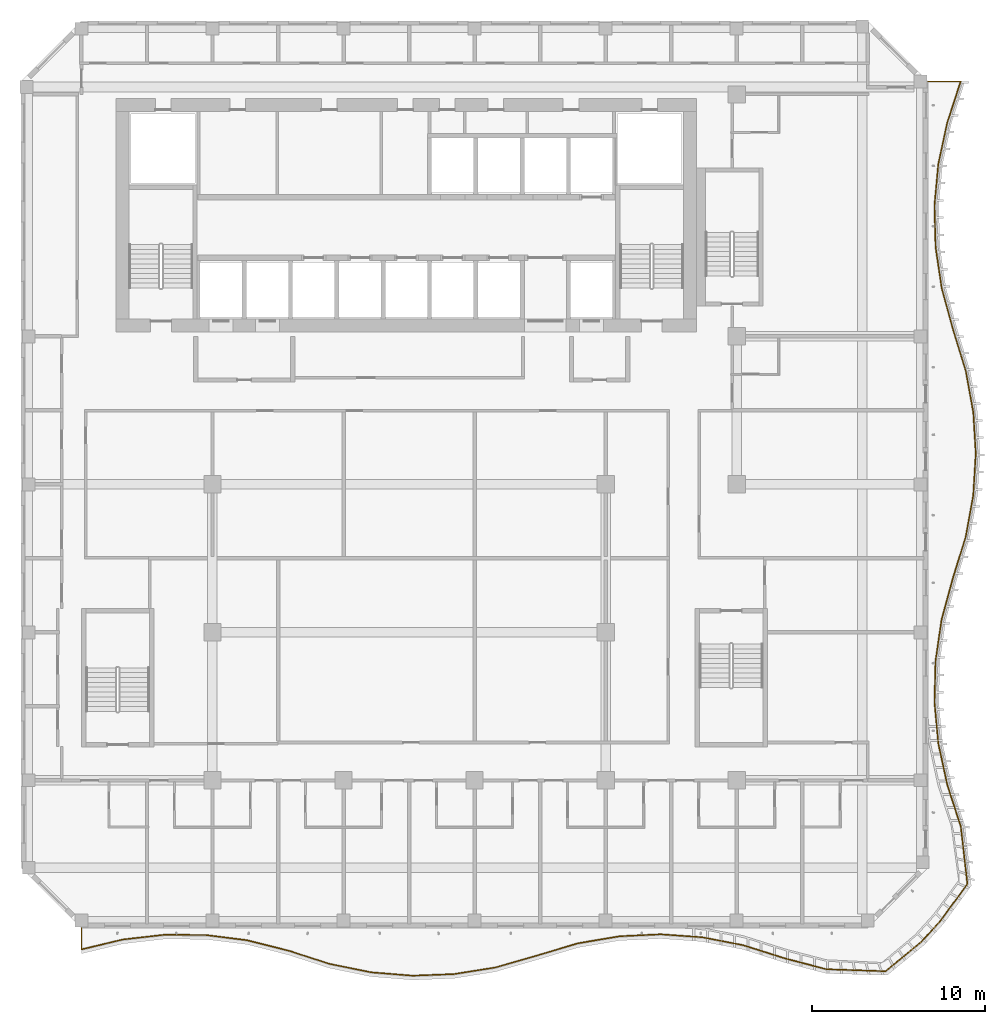
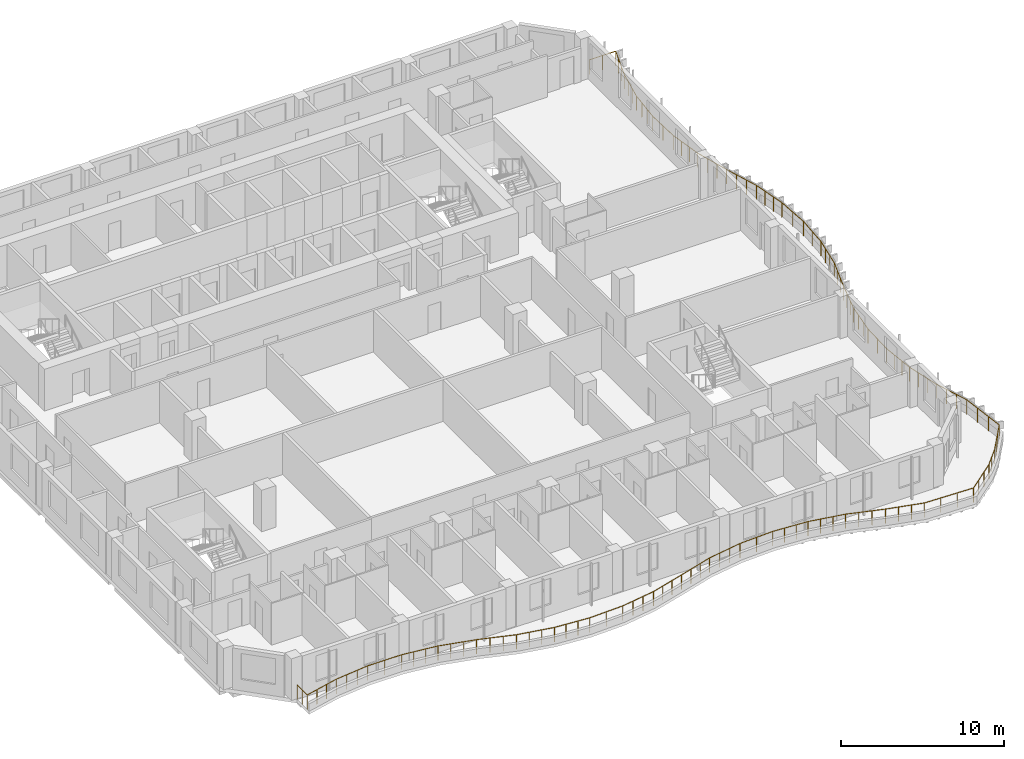
# One storey, part 18 of 23: 1 railing.
"""IFC4 building model written with IfcOpenShell, lengths in metres."""

import ifcopenshell
import ifcopenshell.guid

model = None  # the IFC model being written
_history = None  # IfcOwnerHistory: only IFC2X3 demands one
_inside = {}  # id of a spatial element -> (the spatial element, [elements in it])
_under = {}  # id of a project, library or spatial element -> (it, [spatial elements below it])
_declared = {}  # id of a project -> (the project, [libraries it declares])
_typed = {}  # id of a type object -> (the type object, [elements of that type])
_made_of = {}  # id of a material, layer set ... -> (it, [elements and type objects made of it])


def new_model(schema):
    """Start an empty IFC model of exactly this schema.

    Asked for "IFC4X3", IfcOpenShell would pick the latest addendum, in which some entities
    have other attributes; the version numbers below select the first issue.
    IFC2X3 requires an IfcOwnerHistory on every rooted entity: one is made here for all.
    """
    global model, _history
    if schema == "IFC4X3":
        model = ifcopenshell.file(schema_version=(4, 3, 0, 0))
    else:
        model = ifcopenshell.file(schema=schema)
    _inside.clear()
    _under.clear()
    _declared.clear()
    _typed.clear()
    _made_of.clear()
    _history = None
    if model.schema == "IFC2X3":
        org = make("IfcOrganization", Name="unknown")
        user = make(
            "IfcPersonAndOrganization",
            ThePerson=make("IfcPerson", FamilyName="unknown"),
            TheOrganization=org,
        )
        app = make(
            "IfcApplication",
            ApplicationDeveloper=org,
            Version="unknown",
            ApplicationFullName="unknown",
            ApplicationIdentifier="unknown",
        )
        _history = make(
            "IfcOwnerHistory",
            OwningUser=user,
            OwningApplication=app,
            ChangeAction="ADDED",
            CreationDate=0,
        )
    return model


def make(cls, **values):
    """One entity of the class cls with the attributes given. An attribute that is None is left unset."""
    return model.create_entity(
        cls, **{name: value for name, value in values.items() if value is not None}
    )


def rooted(cls, **values):
    """An entity with a GlobalId (a new one), such as an element, a storey or a relation."""
    return make(cls, GlobalId=ifcopenshell.guid.new(), OwnerHistory=_history, **values)


def si_unit(unit_type, name, prefix=None):
    """IfcSIUnit, for example si_unit("LENGTHUNIT", "METRE", prefix="MILLI")."""
    return make("IfcSIUnit", UnitType=unit_type, Prefix=prefix, Name=name)


def assignment(units):
    """IfcUnitAssignment: the units of a project."""
    return None if units is None else make("IfcUnitAssignment", Units=units)


def point(xyz):
    """IfcCartesianPoint."""
    return None if xyz is None else make("IfcCartesianPoint", Coordinates=xyz)


def direction(xyz):
    """IfcDirection."""
    return None if xyz is None else make("IfcDirection", DirectionRatios=xyz)


def frame(location, z_axis=None, x_axis=None):
    """IfcAxis2Placement3D, a coordinate frame: its origin and axes. An axis left out is left unset."""
    return make(
        "IfcAxis2Placement3D",
        Location=point(location),
        Axis=direction(z_axis),
        RefDirection=direction(x_axis),
    )


def frame_2d(location, x_axis=None):
    """IfcAxis2Placement2D, a coordinate frame in the plane: its origin and x axis."""
    return make(
        "IfcAxis2Placement2D", Location=point(location), RefDirection=direction(x_axis)
    )


def origin():
    """The frame at (0, 0, 0) with its axes left unset."""
    return frame((0.0, 0.0, 0.0))


def origin_2d():
    """The frame at (0, 0) in the plane with its x axis left unset."""
    return frame_2d((0.0, 0.0))


def place(relative_to, where):
    """IfcLocalPlacement: puts the frame where relative to a parent placement (None: the world)."""
    return make(
        "IfcLocalPlacement", PlacementRelTo=relative_to, RelativePlacement=where
    )


def context(
    kind, dimensions, precision=None, world=None, true_north=None, identifier=None
):
    """IfcGeometricRepresentationContext, for example the 3D "Model" context."""
    return make(
        "IfcGeometricRepresentationContext",
        ContextIdentifier=identifier,
        ContextType=kind,
        CoordinateSpaceDimension=dimensions,
        Precision=precision,
        WorldCoordinateSystem=world,
        TrueNorth=true_north,
    )


def subcontext(parent, identifier, kind, view, scale=None):
    """IfcGeometricRepresentationSubContext, for example "Body" below "Model"."""
    return make(
        "IfcGeometricRepresentationSubContext",
        ContextIdentifier=identifier,
        ContextType=kind,
        ParentContext=parent,
        TargetScale=scale,
        TargetView=view,
    )


def project(units=None, contexts=None):
    """IfcProject with its units and contexts."""
    return rooted(
        "IfcProject",
        Name="project",
        RepresentationContexts=contexts,
        UnitsInContext=assignment(units),
    )


def spatial(cls, under=None, at=None, **own):
    """A site, building, storey or space (cls), placed at a placement, below another one or the project."""
    s = rooted(cls, ObjectPlacement=at, **own)
    if under is not None:
        _under.setdefault(under.id(), (under, []))[1].append(s)
    return s


def profile(cls, at=None, kind="AREA", **sizes):
    """A parametric profile (cls). Its sizes go by their IFC names, for example OverallWidth=200.0."""
    return make(cls, ProfileType=kind, Position=at, **sizes)


def circle(**sizes):
    """IfcCircleProfileDef."""
    return profile("IfcCircleProfileDef", **sizes)


def extrude(swept, where, along, depth):
    """IfcExtrudedAreaSolid: the profile swept, set in the frame where, extruded along a direction by depth."""
    return make(
        "IfcExtrudedAreaSolid",
        SweptArea=swept,
        Position=where,
        ExtrudedDirection=direction(along),
        Depth=depth,
    )


def shape(context_of_items, identifier, shape_type, items):
    """IfcShapeRepresentation: the items that make up one representation, for example the "Body"."""
    return make(
        "IfcShapeRepresentation",
        ContextOfItems=context_of_items,
        RepresentationIdentifier=identifier,
        RepresentationType=shape_type,
        Items=items,
    )


def material(Name=None, Category=None):
    """IfcMaterial."""
    return make("IfcMaterial", Name=Name, Category=Category)


def made_of(thing, what):
    """Note that an element or type object is made of a material, layer set ...; save() writes the relation."""
    if what is not None:
        _made_of.setdefault(what.id(), (what, []))[1].append(thing)
    return thing


def type_object(cls, material=None, **own):
    """A type object (cls), such as IfcWallType, which elements share."""
    return made_of(rooted(cls, **own), material)


def element(
    cls,
    number,
    at=None,
    inside=None,
    cuts=None,
    type_object=None,
    material=None,
    context=None,
    identifier="Body",
    shape_type=None,
    held_by="IfcProductDefinitionShape",
    body=None,
    shapes=None,
    **own,
):
    """One element of the class cls, such as IfcWall. Its Tag is "e" and its number.

    at: its placement. inside: the storey or other place that contains it. cuts: it is an
    opening in that element (IfcRelVoidsElement). A single representation is given by context,
    identifier, shape_type and body (its items); several are given by shapes. held_by: the class
    of the entity that holds the representations. save() writes the other relations.
    """
    e = rooted(cls, Tag="e%d" % number, ObjectPlacement=at, **own)
    if body is not None:
        shapes = [shape(context, identifier, shape_type, body)]
    if shapes is not None:
        e.Representation = make(held_by, Representations=shapes)
    if inside is not None:
        _inside.setdefault(inside.id(), (inside, []))[1].append(e)
    if cuts is not None:
        rooted(
            "IfcRelVoidsElement", RelatingBuildingElement=cuts, RelatedOpeningElement=e
        )
    if type_object is not None:
        _typed.setdefault(type_object.id(), (type_object, []))[1].append(e)
    return made_of(e, material)


def aggregate(whole, parts):
    """IfcRelAggregates: a whole, such as a stair, and the parts it consists of."""
    return rooted("IfcRelAggregates", RelatingObject=whole, RelatedObjects=parts)


def save(model, path):
    """Write the relations noted so far, then the file.

    IfcRelAggregates (storeys below a building ...), IfcRelContainedInSpatialStructure (elements
    in a storey), IfcRelDefinesByType, IfcRelAssociatesMaterial and IfcRelDeclares: one each for
    every whole, place, type object, material and project.
    """
    for whole, parts in _under.values():
        aggregate(whole, parts)
    for where, things in _inside.values():
        rooted(
            "IfcRelContainedInSpatialStructure",
            RelatedElements=things,
            RelatingStructure=where,
        )
    for kind, things in _typed.values():
        rooted("IfcRelDefinesByType", RelatedObjects=things, RelatingType=kind)
    for what, things in _made_of.values():
        rooted("IfcRelAssociatesMaterial", RelatedObjects=things, RelatingMaterial=what)
    for by, libraries in _declared.values():
        rooted("IfcRelDeclares", RelatingContext=by, RelatedDefinitions=libraries)
    model.write(path)


model = new_model("IFC4")

# Units and contexts
model_context = context("Model", 3, precision=1e-05, world=origin(), true_north=direction((0.0, 1.0)))
body_context = subcontext(model_context, "Body", "Model", "MODEL_VIEW")
ifc_project = project(units=[si_unit("LENGTHUNIT", "METRE"), si_unit("AREAUNIT", "SQUARE_METRE"), si_unit("VOLUMEUNIT", "CUBIC_METRE"), si_unit("PLANEANGLEUNIT", "RADIAN"), si_unit("MASSUNIT", "GRAM", prefix="KILO")], contexts=[model_context])

# Site, building, storey
site_placement = place(None, origin())
site = spatial("IfcSite", under=ifc_project, at=site_placement, CompositionType="ELEMENT")
building_placement = place(site_placement, origin())
building = spatial("IfcBuilding", under=site, at=building_placement, Name="Kilnfold Tower and Market Hall", CompositionType="ELEMENT")
storey_placement = place(building_placement, frame((0.0, 0.0, 203.300048828125)))
storey = spatial("IfcBuildingStorey", under=building, at=storey_placement, Name="L49", CompositionType="ELEMENT", Elevation=203.300048828125)

# Railing
ifc_material = material(Name="Stainless steel and laminated glass", Category="steel")
railing_type = type_object("IfcRailingType", Name="GUARD 1100", PredefinedType="GUARDRAIL", material=ifc_material)
railing_placement = place(storey_placement, frame((-17.75, -26.25, 0.0)))
element("IfcRailing", 1, at=railing_placement, inside=storey, type_object=railing_type, Name="Guard balcony L49", PredefinedType="GUARDRAIL", context=body_context, shape_type="SweptSolid", body=[
    extrude(circle(Radius=0.02490234375, at=origin_2d()), frame((0.0, 0.0, 1.0751953125), z_axis=(0.0, -1.0, 0.0), x_axis=(1.0, 0.0, 0.0)), (0.0, 0.0, 1.0), 1.224365234375),
    extrude(circle(Radius=0.02490234375, at=origin_2d()), frame((0.0, -1.224365234375, 1.0751953125), z_axis=(0.972637858526, 0.232326486138, 0.0), x_axis=(-0.232326486138, 0.972637858526, 0.0)), (0.0, 0.0, 1.0), 2.462158203125),
    extrude(circle(Radius=0.02490234375, at=origin_2d()), frame((2.394775390625, -0.65234375, 1.0751953125), z_axis=(0.993555831989, 0.113343763482, 0.0), x_axis=(-0.113343763482, 0.993555831989, 0.0)), (0.0, 0.0, 1.0), 2.410400390625),
    extrude(circle(Radius=0.02490234375, at=origin_2d()), frame((4.78955078125, -0.379150390625, 1.0751953125), z_axis=(0.999984277405, -0.005607579043, 0.0), x_axis=(0.005607579043, 0.999984277405, 0.0)), (0.0, 0.0, 1.0), 2.39453125),
    extrude(circle(Radius=0.02490234375, at=origin_2d()), frame((7.18408203125, -0.392578125, 1.0751953125), z_axis=(0.992217065677, -0.124520257707, 0.0), x_axis=(0.124520257707, 0.992217065677, 0.0)), (0.0, 0.0, 1.0), 2.41357421875),
    extrude(circle(Radius=0.02490234375, at=origin_2d()), frame((9.578857421875, -0.693115234375, 1.0751953125), z_axis=(0.969915233155, -0.243442889594, 0.0), x_axis=(0.243442889594, 0.969915233155, 0.0)), (0.0, 0.0, 1.0), 2.468994140625),
    extrude(circle(Radius=0.02490234375, at=origin_2d()), frame((11.9736328125, -1.294189453125, 1.0751953125), z_axis=(0.951940674273, -0.306282472016, 0.0), x_axis=(0.306282472016, 0.951940674273, 0.0)), (0.0, 0.0, 1.0), 2.515625),
    extrude(circle(Radius=0.02490234375, at=origin_2d()), frame((14.368408203125, -2.064697265625, 1.0751953125), z_axis=(0.979918138669, -0.199400204382, 0.0), x_axis=(0.199400204382, 0.979918138669, 0.0)), (0.0, 0.0, 1.0), 2.44384765625),
    extrude(circle(Radius=0.02490234375, at=origin_2d()), frame((16.76318359375, -2.552001953125, 1.0751953125), z_axis=(0.996748045779, -0.080581221358, 0.0), x_axis=(0.080581221358, 0.996748045779, 0.0)), (0.0, 0.0, 1.0), 2.402587890625),
    extrude(circle(Radius=0.02490234375, at=origin_2d()), frame((19.157958984375, -2.74560546875, 1.0751953125), z_axis=(0.999262077301, 0.038409645508, 0.0), x_axis=(-0.038409645508, 0.999262077301, 0.0)), (0.0, 0.0, 1.0), 2.396240234375),
    extrude(circle(Radius=0.02490234375, at=origin_2d()), frame((21.552490234375, -2.653564453125, 1.0751953125), z_axis=(0.987544070387, 0.157342648523, 0.0), x_axis=(-0.157342648523, 0.987544070387, 0.0)), (0.0, 0.0, 1.0), 2.42529296875),
    extrude(circle(Radius=0.02490234375, at=origin_2d()), frame((23.947509765625, -2.27197265625, 1.0751953125), z_axis=(0.961064099617, 0.276325526195, 0.0), x_axis=(-0.276325526195, 0.961064099617, 0.0)), (0.0, 0.0, 1.0), 2.491455078125),
    extrude(circle(Radius=0.02490234375, at=origin_2d()), frame((26.342041015625, -1.58349609375, 1.0751953125), z_axis=(0.95840786282, 0.285402117168, 0.0), x_axis=(-0.285402117168, 0.95840786282, 0.0)), (0.0, 0.0, 1.0), 2.498779296875),
    extrude(circle(Radius=0.02490234375, at=origin_2d()), frame((28.73681640625, -0.870361328125, 1.0751953125), z_axis=(0.986030201752, 0.166566627006, 0.0), x_axis=(-0.166566627006, 0.986030201752, 0.0)), (0.0, 0.0, 1.0), 2.4287109375),
    extrude(circle(Radius=0.02490234375, at=origin_2d()), frame((31.131591796875, -0.4658203125, 1.0751953125), z_axis=(0.998858903515, 0.047758673234, 0.0), x_axis=(-0.047758673234, 0.998858903515, 0.0)), (0.0, 0.0, 1.0), 2.3974609375),
    extrude(circle(Radius=0.02490234375, at=origin_2d()), frame((33.5263671875, -0.351318359375, 1.0751953125), z_axis=(0.997456118266, -0.07128318268, 0.0), x_axis=(0.07128318268, 0.997456118266, 0.0)), (0.0, 0.0, 1.0), 2.40087890625),
    extrude(circle(Radius=0.02490234375, at=origin_2d()), frame((35.921142578125, -0.5224609375, 1.0751953125), z_axis=(0.981733442958, -0.190261522588, 0.0), x_axis=(0.190261522588, 0.981733442958, 0.0)), (0.0, 0.0, 1.0), 2.439453125),
    extrude(circle(Radius=0.02490234375, at=origin_2d()), frame((38.31591796875, -0.986572265625, 1.0751953125), z_axis=(0.953226539927, -0.302256784173, 0.0), x_axis=(0.302256784173, 0.953226539927, 0.0)), (0.0, 0.0, 1.0), 2.511962890625),
    extrude(circle(Radius=0.02490234375, at=origin_2d()), frame((40.71044921875, -1.745849609375, 1.0751953125), z_axis=(0.967541810288, -0.252710991738, 0.0), x_axis=(0.252710991738, 0.967541810288, 0.0)), (0.0, 0.0, 1.0), 2.47509765625),
    extrude(circle(Radius=0.02490234375, at=origin_2d()), frame((43.105224609375, -2.371337890625, 1.0751953125), z_axis=(0.999408112184, -0.034400949129, 0.0), x_axis=(0.034400949129, 0.999408112184, 0.0)), (0.0, 0.0, 1.0), 3.427734375),
    extrude(circle(Radius=0.02490234375, at=origin_2d()), frame((46.531005859375, -2.4892578125, 1.0751953125), z_axis=(0.772092413404, 0.635510271486, 0.0), x_axis=(-0.635510271486, 0.772092413404, 0.0)), (0.0, 0.0, 1.0), 2.69384765625),
    extrude(circle(Radius=0.02490234375, at=origin_2d()), frame((48.61083984375, -0.77734375, 1.0751953125), z_axis=(0.671980898931, 0.740568478584, 0.0), x_axis=(-0.740568478584, 0.671980898931, 0.0)), (0.0, 0.0, 1.0), 1.651611328125),
    extrude(circle(Radius=0.02490234375, at=origin_2d()), frame((49.720703125, 0.44580078125, 1.0751953125), z_axis=(0.589616974726, 0.807682996673, 0.0), x_axis=(-0.807682996673, 0.589616974726, 0.0)), (0.0, 0.0, 1.0), 2.619873046875),
    extrude(circle(Radius=0.02490234375, at=origin_2d()), frame((51.265380859375, 2.561767578125, 1.0751953125), z_axis=(-0.113817507844, 0.993501673329, 0.0), x_axis=(-0.993501673329, -0.113817507844, 0.0)), (0.0, 0.0, 1.0), 3.354736328125),
    extrude(circle(Radius=0.02490234375, at=origin_2d()), frame((50.883544921875, 5.894775390625, 1.0751953125), z_axis=(-0.309531011285, 0.95088934848, 0.0), x_axis=(-0.95088934848, -0.309531011285, 0.0)), (0.0, 0.0, 1.0), 2.5185546875),
    extrude(circle(Radius=0.02490234375, at=origin_2d()), frame((50.10400390625, 8.28955078125, 1.0751953125), z_axis=(-0.21193734549, 0.977283255554, 0.0), x_axis=(-0.977283255554, -0.21193734549, 0.0)), (0.0, 0.0, 1.0), 2.4501953125),
    extrude(circle(Radius=0.02490234375, at=origin_2d()), frame((49.584716796875, 10.68408203125, 1.0751953125), z_axis=(-0.092878465653, 0.995677453103, 0.0), x_axis=(-0.995677453103, -0.092878465653, 0.0)), (0.0, 0.0, 1.0), 2.4052734375),
    extrude(circle(Radius=0.02490234375, at=origin_2d()), frame((49.361328125, 13.078857421875, 1.0751953125), z_axis=(0.02598775376, 0.999662261294, 0.0), x_axis=(-0.999662261294, 0.02598775376, 0.0)), (0.0, 0.0, 1.0), 2.3955078125),
    extrude(circle(Radius=0.02490234375, at=origin_2d()), frame((49.423583984375, 15.4736328125, 1.0751953125), z_axis=(0.144950924792, 0.989438845711, 0.0), x_axis=(-0.989438845711, 0.144950924792, 0.0)), (0.0, 0.0, 1.0), 2.42041015625),
    extrude(circle(Radius=0.02490234375, at=origin_2d()), frame((49.7744140625, 17.868408203125, 1.0751953125), z_axis=(0.263832909932, 0.964568398631, 0.0), x_axis=(-0.964568398631, 0.263832909932, 0.0)), (0.0, 0.0, 1.0), 2.482666015625),
    extrude(circle(Radius=0.02490234375, at=origin_2d()), frame((50.429443359375, 20.26318359375, 1.0751953125), z_axis=(0.295406488093, 0.955371658985, 0.0), x_axis=(-0.955371658985, 0.295406488093, 0.0)), (0.0, 0.0, 1.0), 2.506591796875),
    extrude(circle(Radius=0.02490234375, at=origin_2d()), frame((51.169921875, 22.657958984375, 1.0751953125), z_axis=(0.179053153737, 0.983839401598, 0.0), x_axis=(-0.983839401598, 0.179053153737, 0.0)), (0.0, 0.0, 1.0), 2.433837890625),
    extrude(circle(Radius=0.02490234375, at=origin_2d()), frame((51.605712890625, 25.052490234375, 1.0751953125), z_axis=(0.060135618519, 0.998190216034, 0.0), x_axis=(-0.998190216034, 0.060135618519, 0.0)), (0.0, 0.0, 1.0), 2.3994140625),
    extrude(circle(Radius=0.02490234375, at=origin_2d()), frame((51.75, 27.447509765625, 1.0751953125), z_axis=(-0.058829418115, 0.998268049957, 0.0), x_axis=(-0.998268049957, -0.058829418115, 0.0)), (0.0, 0.0, 1.0), 2.398681640625),
    extrude(circle(Radius=0.02490234375, at=origin_2d()), frame((51.60888671875, 29.842041015625, 1.0751953125), z_axis=(-0.177772938794, 0.984071533087, 0.0), x_axis=(-0.984071533087, -0.177772938794, 0.0)), (0.0, 0.0, 1.0), 2.43359375),
    extrude(circle(Radius=0.02490234375, at=origin_2d()), frame((51.17626953125, 32.23681640625, 1.0751953125), z_axis=(-0.294517123978, 0.95564620215, 0.0), x_axis=(-0.95564620215, -0.294517123978, 0.0)), (0.0, 0.0, 1.0), 2.505859375),
    extrude(circle(Radius=0.02490234375, at=origin_2d()), frame((50.438232421875, 34.631591796875, 1.0751953125), z_axis=(-0.265204460157, 0.964192197807, 0.0), x_axis=(-0.964192197807, -0.265204460157, 0.0)), (0.0, 0.0, 1.0), 2.483642578125),
    extrude(circle(Radius=0.02490234375, at=origin_2d()), frame((49.779541015625, 37.0263671875, 1.0751953125), z_axis=(-0.14613562587, 0.98926456464, 0.0), x_axis=(-0.98926456464, -0.14613562587, 0.0)), (0.0, 0.0, 1.0), 2.420654296875),
    extrude(circle(Radius=0.02490234375, at=origin_2d()), frame((49.42578125, 39.421142578125, 1.0751953125), z_axis=(-0.027311655337, 0.999626967165, 0.0), x_axis=(-0.999626967165, -0.027311655337, 0.0)), (0.0, 0.0, 1.0), 2.395751953125),
    extrude(circle(Radius=0.02490234375, at=origin_2d()), frame((49.3603515625, 41.81591796875, 1.0751953125), z_axis=(0.091679958956, 0.995788524299, 0.0), x_axis=(-0.995788524299, 0.091679958956, 0.0)), (0.0, 0.0, 1.0), 2.404541015625),
    extrude(circle(Radius=0.02490234375, at=origin_2d()), frame((49.580810546875, 44.21044921875, 1.0751953125), z_axis=(0.210583916046, 0.977575784429, 0.0), x_axis=(-0.977575784429, 0.210583916046, 0.0)), (0.0, 0.0, 1.0), 2.44970703125),
    extrude(circle(Radius=0.02490234375, at=origin_2d()), frame((50.0966796875, 46.605224609375, 1.0751953125), z_axis=(0.309268017736, 0.950974917233, 0.0), x_axis=(-0.950974917233, 0.309268017736, 0.0)), (0.0, 0.0, 1.0), 2.518310546875),
    extrude(circle(Radius=0.02490234375, at=origin_2d()), frame((50.87548828125, 49.0, 1.0751953125), z_axis=(-1.0, 0.0, 0.0), x_axis=(0.0, -1.0, 0.0)), (0.0, 0.0, 1.0), 1.87548828125),
    extrude(circle(Radius=0.02490234375, at=origin_2d()), origin(), (0.0, 0.0, 1.0), 1.050048828125),
    extrude(circle(Radius=0.02490234375, at=origin_2d()), frame((0.0, -0.6123046875, 0.0)), (0.0, 0.0, 1.0), 1.050048828125),
    extrude(circle(Radius=0.02490234375, at=origin_2d()), frame((0.0, -1.224365234375, 0.0)), (0.0, 0.0, 1.0), 1.050048828125),
    extrude(circle(Radius=0.02490234375, at=origin_2d()), frame((0.79833984375, -1.03369140625, 0.0)), (0.0, 0.0, 1.0), 1.050048828125),
    extrude(circle(Radius=0.02490234375, at=origin_2d()), frame((1.596435546875, -0.843017578125, 0.0)), (0.0, 0.0, 1.0), 1.050048828125),
    extrude(circle(Radius=0.02490234375, at=origin_2d()), frame((2.394775390625, -0.65234375, 0.0)), (0.0, 0.0, 1.0), 1.050048828125),
    extrude(circle(Radius=0.02490234375, at=origin_2d()), frame((3.193115234375, -0.561279296875, 0.0)), (0.0, 0.0, 1.0), 1.050048828125),
    extrude(circle(Radius=0.02490234375, at=origin_2d()), frame((3.9912109375, -0.47021484375, 0.0)), (0.0, 0.0, 1.0), 1.050048828125),
    extrude(circle(Radius=0.02490234375, at=origin_2d()), frame((4.78955078125, -0.379150390625, 0.0)), (0.0, 0.0, 1.0), 1.050048828125),
    extrude(circle(Radius=0.02490234375, at=origin_2d()), frame((5.98681640625, -0.3857421875, 0.0)), (0.0, 0.0, 1.0), 1.050048828125),
    extrude(circle(Radius=0.02490234375, at=origin_2d()), frame((7.18408203125, -0.392578125, 0.0)), (0.0, 0.0, 1.0), 1.050048828125),
    extrude(circle(Radius=0.02490234375, at=origin_2d()), frame((7.982421875, -0.49267578125, 0.0)), (0.0, 0.0, 1.0), 1.050048828125),
    extrude(circle(Radius=0.02490234375, at=origin_2d()), frame((8.780517578125, -0.593017578125, 0.0)), (0.0, 0.0, 1.0), 1.050048828125),
    extrude(circle(Radius=0.02490234375, at=origin_2d()), frame((9.578857421875, -0.693115234375, 0.0)), (0.0, 0.0, 1.0), 1.050048828125),
    extrude(circle(Radius=0.02490234375, at=origin_2d()), frame((10.377197265625, -0.8935546875, 0.0)), (0.0, 0.0, 1.0), 1.050048828125),
    extrude(circle(Radius=0.02490234375, at=origin_2d()), frame((11.17529296875, -1.09375, 0.0)), (0.0, 0.0, 1.0), 1.050048828125),
    extrude(circle(Radius=0.02490234375, at=origin_2d()), frame((11.9736328125, -1.294189453125, 0.0)), (0.0, 0.0, 1.0), 1.050048828125),
    extrude(circle(Radius=0.02490234375, at=origin_2d()), frame((12.77197265625, -1.551025390625, 0.0)), (0.0, 0.0, 1.0), 1.050048828125),
    extrude(circle(Radius=0.02490234375, at=origin_2d()), frame((13.570068359375, -1.807861328125, 0.0)), (0.0, 0.0, 1.0), 1.050048828125),
    extrude(circle(Radius=0.02490234375, at=origin_2d()), frame((14.368408203125, -2.064697265625, 0.0)), (0.0, 0.0, 1.0), 1.050048828125),
    extrude(circle(Radius=0.02490234375, at=origin_2d()), frame((15.166748046875, -2.22705078125, 0.0)), (0.0, 0.0, 1.0), 1.050048828125),
    extrude(circle(Radius=0.02490234375, at=origin_2d()), frame((15.96484375, -2.3896484375, 0.0)), (0.0, 0.0, 1.0), 1.050048828125),
    extrude(circle(Radius=0.02490234375, at=origin_2d()), frame((16.76318359375, -2.552001953125, 0.0)), (0.0, 0.0, 1.0), 1.050048828125),
    extrude(circle(Radius=0.02490234375, at=origin_2d()), frame((17.5615234375, -2.616455078125, 0.0)), (0.0, 0.0, 1.0), 1.050048828125),
    extrude(circle(Radius=0.02490234375, at=origin_2d()), frame((18.359619140625, -2.68115234375, 0.0)), (0.0, 0.0, 1.0), 1.050048828125),
    extrude(circle(Radius=0.02490234375, at=origin_2d()), frame((19.157958984375, -2.74560546875, 0.0)), (0.0, 0.0, 1.0), 1.050048828125),
    extrude(circle(Radius=0.02490234375, at=origin_2d()), frame((20.355224609375, -2.69970703125, 0.0)), (0.0, 0.0, 1.0), 1.050048828125),
    extrude(circle(Radius=0.02490234375, at=origin_2d()), frame((21.552490234375, -2.653564453125, 0.0)), (0.0, 0.0, 1.0), 1.050048828125),
    extrude(circle(Radius=0.02490234375, at=origin_2d()), frame((22.350830078125, -2.5263671875, 0.0)), (0.0, 0.0, 1.0), 1.050048828125),
    extrude(circle(Radius=0.02490234375, at=origin_2d()), frame((23.149169921875, -2.399169921875, 0.0)), (0.0, 0.0, 1.0), 1.050048828125),
    extrude(circle(Radius=0.02490234375, at=origin_2d()), frame((23.947509765625, -2.27197265625, 0.0)), (0.0, 0.0, 1.0), 1.050048828125),
    extrude(circle(Radius=0.02490234375, at=origin_2d()), frame((24.74560546875, -2.04248046875, 0.0)), (0.0, 0.0, 1.0), 1.050048828125),
    extrude(circle(Radius=0.02490234375, at=origin_2d()), frame((25.5439453125, -1.81298828125, 0.0)), (0.0, 0.0, 1.0), 1.050048828125),
    extrude(circle(Radius=0.02490234375, at=origin_2d()), frame((26.342041015625, -1.58349609375, 0.0)), (0.0, 0.0, 1.0), 1.050048828125),
    extrude(circle(Radius=0.02490234375, at=origin_2d()), frame((27.140380859375, -1.345703125, 0.0)), (0.0, 0.0, 1.0), 1.050048828125),
    extrude(circle(Radius=0.02490234375, at=origin_2d()), frame((27.9384765625, -1.108154296875, 0.0)), (0.0, 0.0, 1.0), 1.050048828125),
    extrude(circle(Radius=0.02490234375, at=origin_2d()), frame((28.73681640625, -0.870361328125, 0.0)), (0.0, 0.0, 1.0), 1.050048828125),
    extrude(circle(Radius=0.02490234375, at=origin_2d()), frame((29.53515625, -0.735595703125, 0.0)), (0.0, 0.0, 1.0), 1.050048828125),
    extrude(circle(Radius=0.02490234375, at=origin_2d()), frame((30.333251953125, -0.6005859375, 0.0)), (0.0, 0.0, 1.0), 1.050048828125),
    extrude(circle(Radius=0.02490234375, at=origin_2d()), frame((31.131591796875, -0.4658203125, 0.0)), (0.0, 0.0, 1.0), 1.050048828125),
    extrude(circle(Radius=0.02490234375, at=origin_2d()), frame((32.3291015625, -0.40869140625, 0.0)), (0.0, 0.0, 1.0), 1.050048828125),
    extrude(circle(Radius=0.02490234375, at=origin_2d()), frame((33.5263671875, -0.351318359375, 0.0)), (0.0, 0.0, 1.0), 1.050048828125),
    extrude(circle(Radius=0.02490234375, at=origin_2d()), frame((34.32470703125, -0.408447265625, 0.0)), (0.0, 0.0, 1.0), 1.050048828125),
    extrude(circle(Radius=0.02490234375, at=origin_2d()), frame((35.122802734375, -0.46533203125, 0.0)), (0.0, 0.0, 1.0), 1.050048828125),
    extrude(circle(Radius=0.02490234375, at=origin_2d()), frame((35.921142578125, -0.5224609375, 0.0)), (0.0, 0.0, 1.0), 1.050048828125),
    extrude(circle(Radius=0.02490234375, at=origin_2d()), frame((36.719482421875, -0.67724609375, 0.0)), (0.0, 0.0, 1.0), 1.050048828125),
    extrude(circle(Radius=0.02490234375, at=origin_2d()), frame((37.517578125, -0.831787109375, 0.0)), (0.0, 0.0, 1.0), 1.050048828125),
    extrude(circle(Radius=0.02490234375, at=origin_2d()), frame((38.31591796875, -0.986572265625, 0.0)), (0.0, 0.0, 1.0), 1.050048828125),
    extrude(circle(Radius=0.02490234375, at=origin_2d()), frame((39.114013671875, -1.23974609375, 0.0)), (0.0, 0.0, 1.0), 1.050048828125),
    extrude(circle(Radius=0.02490234375, at=origin_2d()), frame((39.912353515625, -1.49267578125, 0.0)), (0.0, 0.0, 1.0), 1.050048828125),
    extrude(circle(Radius=0.02490234375, at=origin_2d()), frame((40.71044921875, -1.745849609375, 0.0)), (0.0, 0.0, 1.0), 1.050048828125),
    extrude(circle(Radius=0.02490234375, at=origin_2d()), frame((41.5087890625, -1.954345703125, 0.0)), (0.0, 0.0, 1.0), 1.050048828125),
    extrude(circle(Radius=0.02490234375, at=origin_2d()), frame((42.306884765625, -2.162841796875, 0.0)), (0.0, 0.0, 1.0), 1.050048828125),
    extrude(circle(Radius=0.02490234375, at=origin_2d()), frame((43.105224609375, -2.371337890625, 0.0)), (0.0, 0.0, 1.0), 1.050048828125),
    extrude(circle(Radius=0.02490234375, at=origin_2d()), frame((44.2470703125, -2.41064453125, 0.0)), (0.0, 0.0, 1.0), 1.050048828125),
    extrude(circle(Radius=0.02490234375, at=origin_2d()), frame((45.38916015625, -2.449951171875, 0.0)), (0.0, 0.0, 1.0), 1.050048828125),
    extrude(circle(Radius=0.02490234375, at=origin_2d()), frame((46.531005859375, -2.4892578125, 0.0)), (0.0, 0.0, 1.0), 1.050048828125),
    extrude(circle(Radius=0.02490234375, at=origin_2d()), frame((47.224365234375, -1.918701171875, 0.0)), (0.0, 0.0, 1.0), 1.050048828125),
    extrude(circle(Radius=0.02490234375, at=origin_2d()), frame((47.91748046875, -1.347900390625, 0.0)), (0.0, 0.0, 1.0), 1.050048828125),
    extrude(circle(Radius=0.02490234375, at=origin_2d()), frame((48.61083984375, -0.77734375, 0.0)), (0.0, 0.0, 1.0), 1.050048828125),
    extrude(circle(Radius=0.02490234375, at=origin_2d()), frame((49.165771484375, -0.165771484375, 0.0)), (0.0, 0.0, 1.0), 1.050048828125),
    extrude(circle(Radius=0.02490234375, at=origin_2d()), frame((49.720703125, 0.44580078125, 0.0)), (0.0, 0.0, 1.0), 1.050048828125),
    extrude(circle(Radius=0.02490234375, at=origin_2d()), frame((50.235595703125, 1.151123046875, 0.0)), (0.0, 0.0, 1.0), 1.050048828125),
    extrude(circle(Radius=0.02490234375, at=origin_2d()), frame((50.75048828125, 1.8564453125, 0.0)), (0.0, 0.0, 1.0), 1.050048828125),
    extrude(circle(Radius=0.02490234375, at=origin_2d()), frame((51.265380859375, 2.561767578125, 0.0)), (0.0, 0.0, 1.0), 1.050048828125),
    extrude(circle(Radius=0.02490234375, at=origin_2d()), frame((51.13818359375, 3.6728515625, 0.0)), (0.0, 0.0, 1.0), 1.050048828125),
    extrude(circle(Radius=0.02490234375, at=origin_2d()), frame((51.0107421875, 4.78369140625, 0.0)), (0.0, 0.0, 1.0), 1.050048828125),
    extrude(circle(Radius=0.02490234375, at=origin_2d()), frame((50.883544921875, 5.894775390625, 0.0)), (0.0, 0.0, 1.0), 1.050048828125),
    extrude(circle(Radius=0.02490234375, at=origin_2d()), frame((50.623779296875, 6.693115234375, 0.0)), (0.0, 0.0, 1.0), 1.050048828125),
    extrude(circle(Radius=0.02490234375, at=origin_2d()), frame((50.36376953125, 7.4912109375, 0.0)), (0.0, 0.0, 1.0), 1.050048828125),
    extrude(circle(Radius=0.02490234375, at=origin_2d()), frame((50.10400390625, 8.28955078125, 0.0)), (0.0, 0.0, 1.0), 1.050048828125),
    extrude(circle(Radius=0.02490234375, at=origin_2d()), frame((49.930908203125, 9.087646484375, 0.0)), (0.0, 0.0, 1.0), 1.050048828125),
    extrude(circle(Radius=0.02490234375, at=origin_2d()), frame((49.7578125, 9.885986328125, 0.0)), (0.0, 0.0, 1.0), 1.050048828125),
    extrude(circle(Radius=0.02490234375, at=origin_2d()), frame((49.584716796875, 10.68408203125, 0.0)), (0.0, 0.0, 1.0), 1.050048828125),
    extrude(circle(Radius=0.02490234375, at=origin_2d()), frame((49.51025390625, 11.482421875, 0.0)), (0.0, 0.0, 1.0), 1.050048828125),
    extrude(circle(Radius=0.02490234375, at=origin_2d()), frame((49.435791015625, 12.280517578125, 0.0)), (0.0, 0.0, 1.0), 1.050048828125),
    extrude(circle(Radius=0.02490234375, at=origin_2d()), frame((49.361328125, 13.078857421875, 0.0)), (0.0, 0.0, 1.0), 1.050048828125),
    extrude(circle(Radius=0.02490234375, at=origin_2d()), frame((49.392578125, 14.2763671875, 0.0)), (0.0, 0.0, 1.0), 1.050048828125),
    extrude(circle(Radius=0.02490234375, at=origin_2d()), frame((49.423583984375, 15.4736328125, 0.0)), (0.0, 0.0, 1.0), 1.050048828125),
    extrude(circle(Radius=0.02490234375, at=origin_2d()), frame((49.54052734375, 16.27197265625, 0.0)), (0.0, 0.0, 1.0), 1.050048828125),
    extrude(circle(Radius=0.02490234375, at=origin_2d()), frame((49.657470703125, 17.070068359375, 0.0)), (0.0, 0.0, 1.0), 1.050048828125),
    extrude(circle(Radius=0.02490234375, at=origin_2d()), frame((49.7744140625, 17.868408203125, 0.0)), (0.0, 0.0, 1.0), 1.050048828125),
    extrude(circle(Radius=0.02490234375, at=origin_2d()), frame((49.99267578125, 18.666748046875, 0.0)), (0.0, 0.0, 1.0), 1.050048828125),
    extrude(circle(Radius=0.02490234375, at=origin_2d()), frame((50.211181640625, 19.46484375, 0.0)), (0.0, 0.0, 1.0), 1.050048828125),
    extrude(circle(Radius=0.02490234375, at=origin_2d()), frame((50.429443359375, 20.26318359375, 0.0)), (0.0, 0.0, 1.0), 1.050048828125),
    extrude(circle(Radius=0.02490234375, at=origin_2d()), frame((50.67626953125, 21.0615234375, 0.0)), (0.0, 0.0, 1.0), 1.050048828125),
    extrude(circle(Radius=0.02490234375, at=origin_2d()), frame((50.923095703125, 21.859619140625, 0.0)), (0.0, 0.0, 1.0), 1.050048828125),
    extrude(circle(Radius=0.02490234375, at=origin_2d()), frame((51.169921875, 22.657958984375, 0.0)), (0.0, 0.0, 1.0), 1.050048828125),
    extrude(circle(Radius=0.02490234375, at=origin_2d()), frame((51.315185546875, 23.4560546875, 0.0)), (0.0, 0.0, 1.0), 1.050048828125),
    extrude(circle(Radius=0.02490234375, at=origin_2d()), frame((51.46044921875, 24.25439453125, 0.0)), (0.0, 0.0, 1.0), 1.050048828125),
    extrude(circle(Radius=0.02490234375, at=origin_2d()), frame((51.605712890625, 25.052490234375, 0.0)), (0.0, 0.0, 1.0), 1.050048828125),
    extrude(circle(Radius=0.02490234375, at=origin_2d()), frame((51.677734375, 26.25, 0.0)), (0.0, 0.0, 1.0), 1.050048828125),
    extrude(circle(Radius=0.02490234375, at=origin_2d()), frame((51.75, 27.447509765625, 0.0)), (0.0, 0.0, 1.0), 1.050048828125),
    extrude(circle(Radius=0.02490234375, at=origin_2d()), frame((51.679443359375, 28.644775390625, 0.0)), (0.0, 0.0, 1.0), 1.050048828125),
    extrude(circle(Radius=0.02490234375, at=origin_2d()), frame((51.60888671875, 29.842041015625, 0.0)), (0.0, 0.0, 1.0), 1.050048828125),
    extrude(circle(Radius=0.02490234375, at=origin_2d()), frame((51.464599609375, 30.640380859375, 0.0)), (0.0, 0.0, 1.0), 1.050048828125),
    extrude(circle(Radius=0.02490234375, at=origin_2d()), frame((51.320556640625, 31.4384765625, 0.0)), (0.0, 0.0, 1.0), 1.050048828125),
    extrude(circle(Radius=0.02490234375, at=origin_2d()), frame((51.17626953125, 32.23681640625, 0.0)), (0.0, 0.0, 1.0), 1.050048828125),
    extrude(circle(Radius=0.02490234375, at=origin_2d()), frame((50.93017578125, 33.03515625, 0.0)), (0.0, 0.0, 1.0), 1.050048828125),
    extrude(circle(Radius=0.02490234375, at=origin_2d()), frame((50.684326171875, 33.833251953125, 0.0)), (0.0, 0.0, 1.0), 1.050048828125),
    extrude(circle(Radius=0.02490234375, at=origin_2d()), frame((50.438232421875, 34.631591796875, 0.0)), (0.0, 0.0, 1.0), 1.050048828125),
    extrude(circle(Radius=0.02490234375, at=origin_2d()), frame((50.21875, 35.429931640625, 0.0)), (0.0, 0.0, 1.0), 1.050048828125),
    extrude(circle(Radius=0.02490234375, at=origin_2d()), frame((49.9990234375, 36.22802734375, 0.0)), (0.0, 0.0, 1.0), 1.050048828125),
    extrude(circle(Radius=0.02490234375, at=origin_2d()), frame((49.779541015625, 37.0263671875, 0.0)), (0.0, 0.0, 1.0), 1.050048828125),
    extrude(circle(Radius=0.02490234375, at=origin_2d()), frame((49.66162109375, 37.82470703125, 0.0)), (0.0, 0.0, 1.0), 1.050048828125),
    extrude(circle(Radius=0.02490234375, at=origin_2d()), frame((49.543701171875, 38.622802734375, 0.0)), (0.0, 0.0, 1.0), 1.050048828125),
    extrude(circle(Radius=0.02490234375, at=origin_2d()), frame((49.42578125, 39.421142578125, 0.0)), (0.0, 0.0, 1.0), 1.050048828125),
    extrude(circle(Radius=0.02490234375, at=origin_2d()), frame((49.39306640625, 40.61865234375, 0.0)), (0.0, 0.0, 1.0), 1.050048828125),
    extrude(circle(Radius=0.02490234375, at=origin_2d()), frame((49.3603515625, 41.81591796875, 0.0)), (0.0, 0.0, 1.0), 1.050048828125),
    extrude(circle(Radius=0.02490234375, at=origin_2d()), frame((49.433837890625, 42.614013671875, 0.0)), (0.0, 0.0, 1.0), 1.050048828125),
    extrude(circle(Radius=0.02490234375, at=origin_2d()), frame((49.50732421875, 43.412353515625, 0.0)), (0.0, 0.0, 1.0), 1.050048828125),
    extrude(circle(Radius=0.02490234375, at=origin_2d()), frame((49.580810546875, 44.21044921875, 0.0)), (0.0, 0.0, 1.0), 1.050048828125),
    extrude(circle(Radius=0.02490234375, at=origin_2d()), frame((49.752685546875, 45.0087890625, 0.0)), (0.0, 0.0, 1.0), 1.050048828125),
    extrude(circle(Radius=0.02490234375, at=origin_2d()), frame((49.9248046875, 45.806884765625, 0.0)), (0.0, 0.0, 1.0), 1.050048828125),
    extrude(circle(Radius=0.02490234375, at=origin_2d()), frame((50.0966796875, 46.605224609375, 0.0)), (0.0, 0.0, 1.0), 1.050048828125),
    extrude(circle(Radius=0.02490234375, at=origin_2d()), frame((50.356201171875, 47.403564453125, 0.0)), (0.0, 0.0, 1.0), 1.050048828125),
    extrude(circle(Radius=0.02490234375, at=origin_2d()), frame((50.615966796875, 48.20166015625, 0.0)), (0.0, 0.0, 1.0), 1.050048828125),
    extrude(circle(Radius=0.02490234375, at=origin_2d()), frame((50.87548828125, 49.0, 0.0)), (0.0, 0.0, 1.0), 1.050048828125),
    extrude(circle(Radius=0.02490234375, at=origin_2d()), frame((49.937744140625, 49.0, 0.0)), (0.0, 0.0, 1.0), 1.050048828125),
    extrude(circle(Radius=0.02490234375, at=origin_2d()), frame((49.0, 49.0, 0.0)), (0.0, 0.0, 1.0), 1.050048828125),
])

save(model, "model.ifc")
